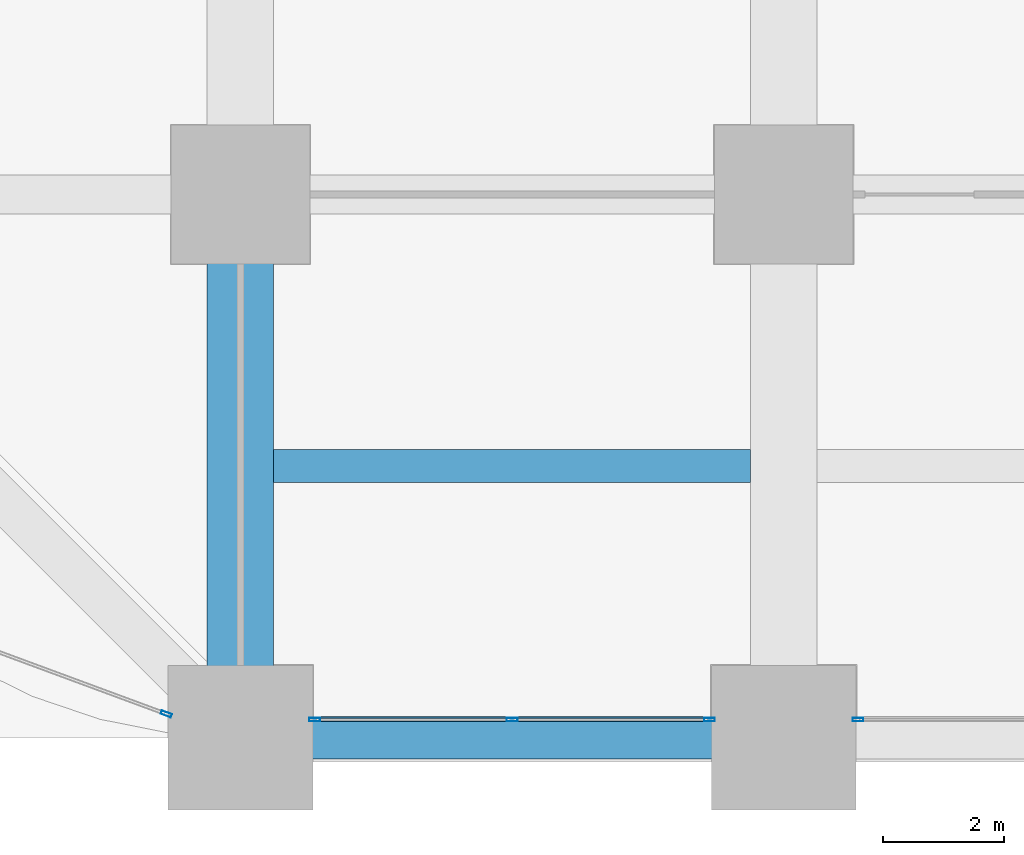
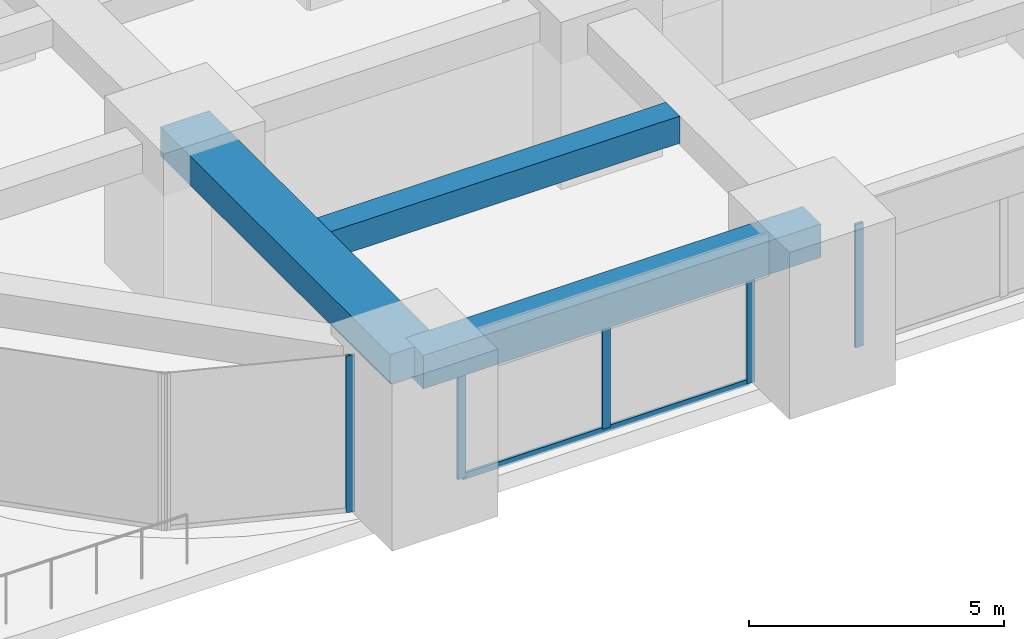
# One storey, part 4 of 38: 6 members, 3 beams, 3 elements without a shape of their own.
"""IFC4 building model written with IfcOpenShell, lengths in metres."""

from ifc_helpers import new_model, si_unit, direction, frame, origin, origin_2d, place, context, subcontext, project, spatial, rectangle, hollow_rectangle, extrude, material, material_profile, profile_set, type_object, element, aggregate, save


model = new_model("IFC4")

# Units and contexts
model_context = context("Model", 3, precision=1e-05, world=origin(), true_north=direction((0.0, 1.0)))
body_context = subcontext(model_context, "Body", "Model", "MODEL_VIEW")
ifc_project = project(units=[si_unit("LENGTHUNIT", "METRE"), si_unit("AREAUNIT", "SQUARE_METRE"), si_unit("VOLUMEUNIT", "CUBIC_METRE"), si_unit("PLANEANGLEUNIT", "RADIAN"), si_unit("MASSUNIT", "GRAM", prefix="KILO")], contexts=[model_context])

# Site, building, storey
site_placement = place(None, origin())
site = spatial("IfcSite", under=ifc_project, at=site_placement, CompositionType="ELEMENT")
building_placement = place(site_placement, origin())
building = spatial("IfcBuilding", under=site, at=building_placement, Name="Zorevar Civic Tower", CompositionType="ELEMENT")
storey_placement = place(building_placement, frame((0.0, 0.0, 15.800048828125)))
storey = spatial("IfcBuildingStorey", under=building, at=storey_placement, Name="L03", CompositionType="ELEMENT", Elevation=15.800048828125)

# Beams
ifc_material_1 = material(Name="Concrete C50/60", Category="concrete")
ifc_material_profile_1 = material_profile(ifc_material_1, rectangle(XDim=1.10009765625, YDim=0.699951171875, at=origin_2d()), Name="RC 1100x700")
ifc_profile_set_1 = profile_set([ifc_material_profile_1], Name="Concrete C50/60")
beam_type_1 = type_object("IfcBeamType", Name="Beam RC 1100x700", PredefinedType="BEAM", material=ifc_profile_set_1)
beam_1_placement = place(storey_placement, frame((9.0, 0.0, 3.39990234375), z_axis=(0.0, 1.0, 0.0), x_axis=(-1.0, 0.0, 0.0)))
element("IfcBeam", 1, at=beam_1_placement, inside=storey, type_object=beam_type_1, Name="Girder L04", PredefinedType="BEAM", context=body_context, shape_type="SweptSolid", body=[
    extrude(rectangle(XDim=1.10009765625, YDim=0.699951171875, at=origin_2d()), origin(), (0.0, 0.0, 1.0), 9.0),
])
ifc_material_2 = material(Name="Concrete C50/60", Category="concrete")
ifc_material_profile_2 = material_profile(ifc_material_2, rectangle(XDim=0.550048828125, YDim=0.64990234375, at=origin_2d()), Name="RC 550x650")
ifc_profile_set_2 = profile_set([ifc_material_profile_2], Name="Concrete C50/60")
beam_type_2 = type_object("IfcBeamType", Name="Beam RC 550x650", PredefinedType="BEAM", material=ifc_profile_set_2)
beam_2_placement = place(storey_placement, frame((9.550048828125, 4.5, 3.425048828125), z_axis=(1.0, 0.0, 0.0), x_axis=(0.0, 1.0, 0.0)))
element("IfcBeam", 2, at=beam_2_placement, inside=storey, type_object=beam_type_2, Name="Secondary beam L04", PredefinedType="BEAM", context=body_context, shape_type="SweptSolid", body=[
    extrude(rectangle(XDim=0.550048828125, YDim=0.64990234375, at=origin_2d()), origin(), (0.0, 0.0, 1.0), 7.89990234375),
])

# Curtain wall, members
ifc_material_3 = material(Name="Dark grey solar-control glass in black aluminium frame", Category="aluminium")
curtain_wall_type = type_object("IfcCurtainWallType", Name="Curtain wall CW2 low zone", PredefinedType="NOTDEFINED", material=ifc_material_3)
curtain_wall_1_placement = place(storey_placement, origin())
curtain_wall_1 = element("IfcCurtainWall", 3, at=curtain_wall_1_placement, inside=storey, type_object=curtain_wall_type, Name="CW2 L03", PredefinedType="NOTDEFINED")
ifc_material_4 = material(Name="Aluminium, black anodised", Category="aluminium")
ifc_material_profile_3 = material_profile(ifc_material_4, hollow_rectangle(XDim=0.06005859375, YDim=0.179931640625, WallThickness=0.00390625, at=origin_2d()), Name="AL 180x60x4")
ifc_profile_set_3 = profile_set([ifc_material_profile_3], Name="Aluminium, black anodised")
member_type_1 = type_object("IfcMemberType", Name="CW2 mullion AL 180x60x4", PredefinedType="MULLION", material=ifc_profile_set_3)
member_1_placement = place(storey_placement, frame((10.22998046875, 0.300048828125, 0.0), z_axis=(0.0, 0.0, 1.0), x_axis=(0.0, 1.0, 0.0)))
member_1 = element("IfcMember", 4, at=member_1_placement, type_object=member_type_1, Name="CW2 mullion 1", PredefinedType="MULLION", context=body_context, shape_type="SweptSolid", body=[
    extrude(hollow_rectangle(XDim=0.06005859375, YDim=0.179931640625, WallThickness=0.00390625, at=origin_2d()), origin(), (0.0, 0.0, 1.0), 2.949951171875),
])
member_2_placement = place(storey_placement, frame((13.5, 0.300048828125, 0.06005859375), z_axis=(0.0, 0.0, 1.0), x_axis=(0.0, 1.0, 0.0)))
member_2 = element("IfcMember", 5, at=member_2_placement, type_object=member_type_1, Name="CW2 mullion 2", PredefinedType="MULLION", context=body_context, shape_type="SweptSolid", body=[
    extrude(hollow_rectangle(XDim=0.06005859375, YDim=0.179931640625, WallThickness=0.00390625, at=origin_2d()), origin(), (0.0, 0.0, 1.0), 2.889892578125),
])
member_3_placement = place(storey_placement, frame((16.77001953125, 0.300048828125, 0.0), z_axis=(0.0, 0.0, 1.0), x_axis=(0.0, 1.0, 0.0)))
member_3 = element("IfcMember", 6, at=member_3_placement, type_object=member_type_1, Name="CW2 mullion 3", PredefinedType="MULLION", context=body_context, shape_type="SweptSolid", body=[
    extrude(hollow_rectangle(XDim=0.06005859375, YDim=0.179931640625, WallThickness=0.00390625, at=origin_2d()), origin(), (0.0, 0.0, 1.0), 2.949951171875),
])

# Curtain wall, member
curtain_wall_2_placement = place(storey_placement, origin())
curtain_wall_2 = element("IfcCurtainWall", 7, at=curtain_wall_2_placement, inside=storey, type_object=curtain_wall_type, Name="CW2 L03", PredefinedType="NOTDEFINED")
member_4_placement = place(storey_placement, frame((19.22998046875, 0.300048828125, 0.0), z_axis=(0.0, 0.0, 1.0), x_axis=(0.0, 1.0, 0.0)))
member_4 = element("IfcMember", 8, at=member_4_placement, type_object=member_type_1, Name="CW2 mullion 1", PredefinedType="MULLION", context=body_context, shape_type="SweptSolid", body=[
    extrude(hollow_rectangle(XDim=0.06005859375, YDim=0.179931640625, WallThickness=0.00390625, at=origin_2d()), origin(), (0.0, 0.0, 1.0), 2.949951171875),
])
aggregate(curtain_wall_2, [member_4])

curtain_wall_3_placement = place(storey_placement, origin())
curtain_wall_3 = element("IfcCurtainWall", 9, at=curtain_wall_3_placement, inside=storey, type_object=curtain_wall_type, Name="CW2 L03", PredefinedType="NOTDEFINED")
member_5_placement = place(storey_placement, frame((7.77197265625, 0.3935546875, 0.0), z_axis=(0.0, 0.0, 1.0), x_axis=(0.346704012033, 0.937974588163, 0.0)))
member_5 = element("IfcMember", 10, at=member_5_placement, type_object=member_type_1, Name="CW2 mullion 2", PredefinedType="MULLION", context=body_context, shape_type="SweptSolid", body=[
    extrude(hollow_rectangle(XDim=0.06005859375, YDim=0.179931640625, WallThickness=0.00390625, at=origin_2d()), origin(), (0.0, 0.0, 1.0), 3.75),
])
aggregate(curtain_wall_3, [member_5])

# Member
ifc_material_5 = material(Name="Aluminium, black anodised", Category="aluminium")
ifc_material_profile_4 = material_profile(ifc_material_5, hollow_rectangle(XDim=0.06005859375, YDim=0.14990234375, WallThickness=0.00390625, at=origin_2d()), Name="AL 150x60x4")
ifc_profile_set_4 = profile_set([ifc_material_profile_4], Name="Aluminium, black anodised")
member_type_2 = type_object("IfcMemberType", Name="CW2 transom AL 150x60x4", PredefinedType="USERDEFINED", material=ifc_profile_set_4)
member_6_placement = place(storey_placement, frame((10.260009765625, 0.300048828125, 0.030029296875), z_axis=(1.0, 0.0, 0.0), x_axis=(0.0, 1.0, 0.0)))
member_6 = element("IfcMember", 11, at=member_6_placement, type_object=member_type_2, Name="CW2 sill transom", ObjectType="TRANSOM", PredefinedType="USERDEFINED", context=body_context, shape_type="SweptSolid", body=[
    extrude(hollow_rectangle(XDim=0.06005859375, YDim=0.14990234375, WallThickness=0.00390625, at=origin_2d()), origin(), (0.0, 0.0, 1.0), 6.47998046875),
])

aggregate(curtain_wall_1, [member_1, member_2, member_3, member_6])

# Beam
ifc_material_6 = material(Name="Concrete C50/60", Category="concrete")
ifc_material_profile_5 = material_profile(ifc_material_6, rectangle(XDim=0.699951171875, YDim=0.800048828125, at=origin_2d()), Name="RC 700x800")
ifc_profile_set_5 = profile_set([ifc_material_profile_5], Name="Concrete C50/60")
beam_type_3 = type_object("IfcBeamType", Name="Edge beam RC 700x800", PredefinedType="SPANDREL", material=ifc_profile_set_5)
beam_3_placement = place(storey_placement, frame((9.0, 0.0, 3.349853515625), z_axis=(1.0, 0.0, 0.0), x_axis=(0.0, 1.0, 0.0)))
element("IfcBeam", 12, at=beam_3_placement, inside=storey, type_object=beam_type_3, Name="Edge beam L04", PredefinedType="SPANDREL", context=body_context, shape_type="SweptSolid", body=[
    extrude(rectangle(XDim=0.699951171875, YDim=0.800048828125, at=origin_2d()), origin(), (0.0, 0.0, 1.0), 9.0),
])

save(model, "model.ifc")
